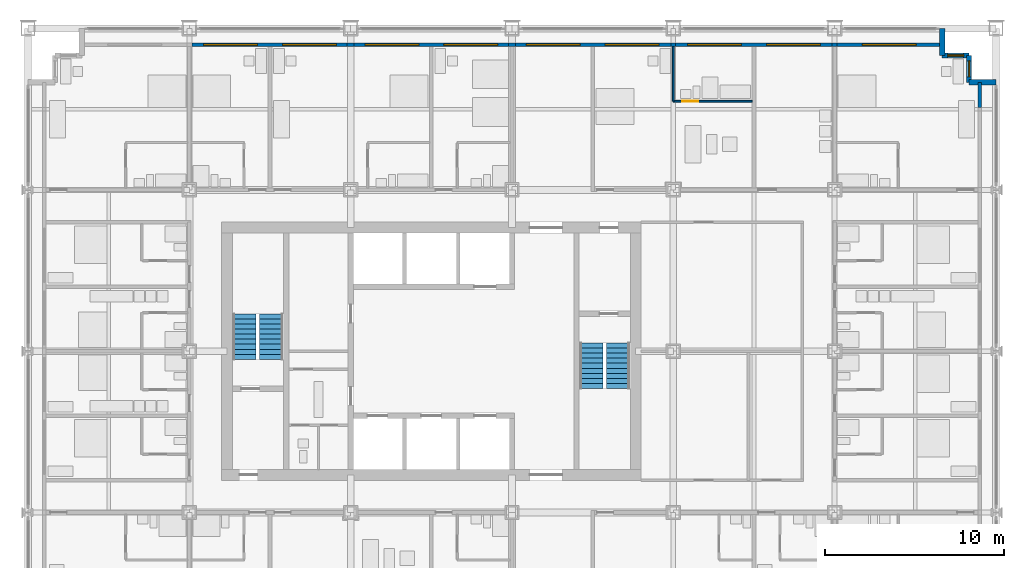
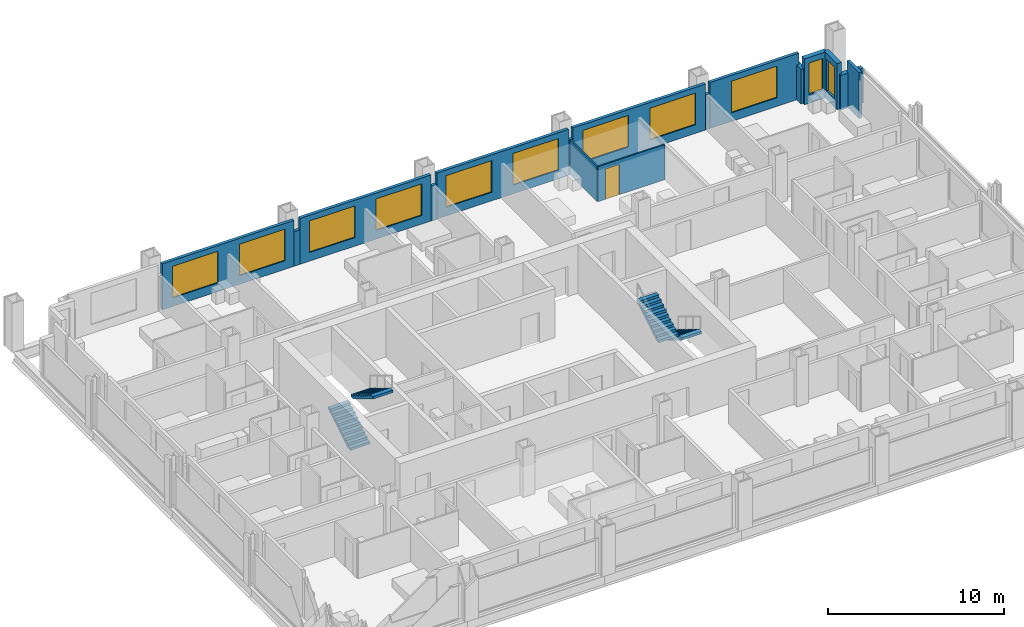
# One storey, part 15 of 18: 16 walls, 11 windows, 4 stair flights, 1 door, 12 openings, 2 elements without a shape of their own.
"""IFC4 building model written with IfcOpenShell, lengths in metres."""

from ifc_helpers import new_model, si_unit, direction, frame, frame_2d, origin, place, context, subcontext, project, spatial, polyline, rectangle, outline, extrude, material, layer, layer_set, type_object, element, fill, aggregate, save


model = new_model("IFC4")

# Units and contexts
model_context = context("Model", 3, precision=1e-05, world=origin(), true_north=direction((0.0, 1.0)))
body_context = subcontext(model_context, "Body", "Model", "MODEL_VIEW")
ifc_project = project(units=[si_unit("LENGTHUNIT", "METRE"), si_unit("AREAUNIT", "SQUARE_METRE"), si_unit("VOLUMEUNIT", "CUBIC_METRE"), si_unit("PLANEANGLEUNIT", "RADIAN"), si_unit("MASSUNIT", "GRAM", prefix="KILO")], contexts=[model_context])

# Site, building, storey
site_placement = place(None, origin())
site = spatial("IfcSite", under=ifc_project, at=site_placement, CompositionType="ELEMENT")
building_placement = place(site_placement, origin())
building = spatial("IfcBuilding", under=site, at=building_placement, Name="Loomwork Tower", CompositionType="ELEMENT")
storey_placement = place(building_placement, frame((0.0, 0.0, 58.60009765625)))
storey = spatial("IfcBuildingStorey", under=building, at=storey_placement, Name="L14", CompositionType="ELEMENT", Elevation=58.60009765625)

# Wall, opening, door
ifc_material_1 = material(Name="Cement board on steel studs", Category="steel")
ifc_layer_1 = layer(ifc_material_1, 0.10009765625)
ifc_layer_set_1 = layer_set([ifc_layer_1], Name="En-suite partition 100")
wall_type_1 = type_object("IfcWallType", Name="En-suite partition 100", PredefinedType="PARTITIONING", material=ifc_layer_set_1)
wall_1_placement = place(storey_placement, frame((36.0, 31.949951171875, 0.0), z_axis=(0.0, 0.0, 1.0), x_axis=(1.0, 0.0, 0.0)))
wall_1 = element("IfcWall", 1, at=wall_1_placement, inside=storey, type_object=wall_type_1, Name="Spa bathroom wall L14 room 12", PredefinedType="PARTITIONING", context=body_context, shape_type="SweptSolid", body=[
    extrude(rectangle(XDim=4.39990234375, YDim=0.10009765625, at=frame_2d((2.199951171875, 0.0))), origin(), (0.0, 0.0, 1.0), 2.43798828125),
])
opening_1_placement = place(wall_1_placement, frame((0.5, 0.0, 0.0)))
opening_1 = element("IfcOpeningElement", 2, at=opening_1_placement, cuts=wall_1, Name="Opening D2", PredefinedType="OPENING", context=body_context, shape_type="SweptSolid", body=[
    extrude(rectangle(XDim=0.89990234375, YDim=2.10009765625, at=frame_2d((0.449951171875, 1.050048828125))), frame((0.0, 0.06005859375, 0.0), z_axis=(0.0, -1.0, 0.0), x_axis=(1.0, 0.0, 0.0)), (0.0, 0.0, 1.0), 0.1201171875),
])
ifc_material_2 = material(Name="Hollow metal door and frame")
door_type = type_object("IfcDoorType", Name="En-suite door 900", OperationType="SINGLE_SWING_LEFT", PredefinedType="DOOR", material=ifc_material_2)
door_placement = place(opening_1_placement, origin())
door = element("IfcDoor", 3, at=door_placement, inside=storey, type_object=door_type, Name="Spa bathroom door room 12", OperationType="SINGLE_SWING_LEFT", OverallHeight=2.10009765625, OverallWidth=0.89990234375, PredefinedType="DOOR", context=body_context, shape_type="SweptSolid", body=[
    extrude(rectangle(XDim=0.89990234375, YDim=2.10009765625, at=frame_2d((0.449951171875, 1.050048828125))), frame((0.0, 0.02490234375, 0.0), z_axis=(0.0, -1.0, 0.0), x_axis=(1.0, 0.0, 0.0)), (0.0, 0.0, 1.0), 0.050048828125),
])
fill(opening_1, door)

# Wall
wall_2_placement = place(storey_placement, frame((36.0, 31.949951171875, 0.0), z_axis=(0.0, 0.0, 1.0), x_axis=(0.0, 1.0, 0.0)))
element("IfcWall", 4, at=wall_2_placement, inside=storey, type_object=wall_type_1, Name="Spa bathroom side wall L14 room 12", PredefinedType="PARTITIONING", context=body_context, shape_type="SweptSolid", body=[
    extrude(rectangle(XDim=3.050048828125, YDim=0.10009765625, at=frame_2d((1.52490234375, 0.0))), origin(), (0.0, 0.0, 1.0), 2.43798828125),
])

# Wall, openings, windows
ifc_material_3 = material(Name="Insulated steel stud wall with gypsum lining", Category="steel")
ifc_layer_2 = layer(ifc_material_3, 0.199951171875)
ifc_layer_set_2 = layer_set([ifc_layer_2], Name="Inner skin wall 200")
wall_type_2 = type_object("IfcWallType", Name="Inner skin wall 200", PredefinedType="SOLIDWALL", material=ifc_layer_set_2)
wall_3_placement = place(storey_placement, frame((9.13525390625, 35.10009765625, 0.0), z_axis=(0.0, 0.0, 1.0), x_axis=(1.0, 0.0, 0.0)))
wall_3 = element("IfcWall", 5, at=wall_3_placement, inside=storey, type_object=wall_type_2, Name="Inner skin wall N bay 3", PredefinedType="SOLIDWALL", context=body_context, shape_type="SweptSolid", body=[
    extrude(rectangle(XDim=8.6708984375, YDim=0.199951171875, at=frame_2d((4.33544921875, 0.0))), origin(), (0.0, 0.0, 1.0), 3.199951171875),
])
opening_2_placement = place(wall_3_placement, frame((0.664794921875, 0.0, 0.60009765625)))
opening_2 = element("IfcOpeningElement", 6, at=opening_2_placement, cuts=wall_3, Name="Opening CH1", PredefinedType="OPENING", context=body_context, shape_type="SweptSolid", body=[
    extrude(rectangle(XDim=3.0, YDim=2.199951171875, at=frame_2d((1.5, 1.10009765625))), frame((0.0, 0.10986328125, 0.0), z_axis=(0.0, -1.0, 0.0), x_axis=(1.0, 0.0, 0.0)), (0.0, 0.0, 1.0), 0.219970703125),
])
opening_3_placement = place(wall_3_placement, frame((5.064697265625, 0.0, 0.60009765625)))
opening_3 = element("IfcOpeningElement", 7, at=opening_3_placement, cuts=wall_3, Name="Opening CH1", PredefinedType="OPENING", context=body_context, shape_type="SweptSolid", body=[
    extrude(rectangle(XDim=3.0, YDim=2.199951171875, at=frame_2d((1.5, 1.10009765625))), frame((0.0, 0.10986328125, 0.0), z_axis=(0.0, -1.0, 0.0), x_axis=(1.0, 0.0, 0.0)), (0.0, 0.0, 1.0), 0.219970703125),
])
ifc_material_4 = material(Name="Aluminium frame with clear insulated glass", Category="aluminium")
window_type_1 = type_object("IfcWindowType", Name="Chicago window 3000", PartitioningType="TRIPLE_PANEL_VERTICAL", PredefinedType="WINDOW", material=ifc_material_4)
window_1_placement = place(opening_2_placement, origin())
window_1 = element("IfcWindow", 8, at=window_1_placement, inside=storey, type_object=window_type_1, Name="Chicago window L14 bay 8", OverallHeight=2.199951171875, OverallWidth=3.0, PartitioningType="TRIPLE_PANEL_VERTICAL", PredefinedType="WINDOW", context=body_context, shape_type="SweptSolid", body=[
    extrude(rectangle(XDim=3.0, YDim=2.199951171875, at=frame_2d((1.5, 1.10009765625))), frame((0.0, 0.030029296875, 0.0), z_axis=(0.0, -1.0, 0.0), x_axis=(1.0, 0.0, 0.0)), (0.0, 0.0, 1.0), 0.06005859375),
])
fill(opening_2, window_1)
window_2_placement = place(opening_3_placement, origin())
window_2 = element("IfcWindow", 9, at=window_2_placement, inside=storey, type_object=window_type_1, Name="Chicago window L14 bay 8", OverallHeight=2.199951171875, OverallWidth=3.0, PartitioningType="TRIPLE_PANEL_VERTICAL", PredefinedType="WINDOW", context=body_context, shape_type="SweptSolid", body=[
    extrude(rectangle(XDim=3.0, YDim=2.199951171875, at=frame_2d((1.5, 1.10009765625))), frame((0.0, 0.030029296875, 0.0), z_axis=(0.0, -1.0, 0.0), x_axis=(1.0, 0.0, 0.0)), (0.0, 0.0, 1.0), 0.06005859375),
])
fill(opening_3, window_2)

# Wall
wall_4_placement = place(storey_placement, frame((17.80615234375, 35.10009765625, 0.0), z_axis=(0.0, 0.0, 1.0), x_axis=(1.0, 0.0, 0.0)))
element("IfcWall", 10, at=wall_4_placement, inside=storey, type_object=wall_type_2, Name="Inner skin wall N bay 4", PredefinedType="SOLIDWALL", context=body_context, shape_type="SweptSolid", body=[
    extrude(rectangle(XDim=0.3876953125, YDim=0.199951171875, at=frame_2d((0.19384765625, 0.0))), origin(), (0.0, 0.0, 1.0), 2.40380859375),
])

# Wall, openings, windows
wall_5_placement = place(storey_placement, frame((18.19384765625, 35.10009765625, 0.0), z_axis=(0.0, 0.0, 1.0), x_axis=(1.0, 0.0, 0.0)))
wall_5 = element("IfcWall", 11, at=wall_5_placement, inside=storey, type_object=wall_type_2, Name="Inner skin wall N bay 5", PredefinedType="SOLIDWALL", context=body_context, shape_type="SweptSolid", body=[
    extrude(rectangle(XDim=8.6123046875, YDim=0.199951171875, at=frame_2d((4.30615234375, 0.0))), origin(), (0.0, 0.0, 1.0), 3.199951171875),
])
opening_4_placement = place(wall_5_placement, frame((0.606201171875, 0.0, 0.60009765625)))
opening_4 = element("IfcOpeningElement", 12, at=opening_4_placement, cuts=wall_5, Name="Opening CH1", PredefinedType="OPENING", context=body_context, shape_type="SweptSolid", body=[
    extrude(rectangle(XDim=3.0, YDim=2.199951171875, at=frame_2d((1.5, 1.10009765625))), frame((0.0, 0.10986328125, 0.0), z_axis=(0.0, -1.0, 0.0), x_axis=(1.0, 0.0, 0.0)), (0.0, 0.0, 1.0), 0.219970703125),
])
opening_5_placement = place(wall_5_placement, frame((5.006103515625, 0.0, 0.60009765625)))
opening_5 = element("IfcOpeningElement", 13, at=opening_5_placement, cuts=wall_5, Name="Opening CH1", PredefinedType="OPENING", context=body_context, shape_type="SweptSolid", body=[
    extrude(rectangle(XDim=3.0, YDim=2.199951171875, at=frame_2d((1.5, 1.10009765625))), frame((0.0, 0.10986328125, 0.0), z_axis=(0.0, -1.0, 0.0), x_axis=(1.0, 0.0, 0.0)), (0.0, 0.0, 1.0), 0.219970703125),
])
window_3_placement = place(opening_4_placement, origin())
window_3 = element("IfcWindow", 14, at=window_3_placement, inside=storey, type_object=window_type_1, Name="Chicago window L14 bay 9", OverallHeight=2.199951171875, OverallWidth=3.0, PartitioningType="TRIPLE_PANEL_VERTICAL", PredefinedType="WINDOW", context=body_context, shape_type="SweptSolid", body=[
    extrude(rectangle(XDim=3.0, YDim=2.199951171875, at=frame_2d((1.5, 1.10009765625))), frame((0.0, 0.030029296875, 0.0), z_axis=(0.0, -1.0, 0.0), x_axis=(1.0, 0.0, 0.0)), (0.0, 0.0, 1.0), 0.06005859375),
])
fill(opening_4, window_3)
window_4_placement = place(opening_5_placement, origin())
window_4 = element("IfcWindow", 15, at=window_4_placement, inside=storey, type_object=window_type_1, Name="Chicago window L14 bay 9", OverallHeight=2.199951171875, OverallWidth=3.0, PartitioningType="TRIPLE_PANEL_VERTICAL", PredefinedType="WINDOW", context=body_context, shape_type="SweptSolid", body=[
    extrude(rectangle(XDim=3.0, YDim=2.199951171875, at=frame_2d((1.5, 1.10009765625))), frame((0.0, 0.030029296875, 0.0), z_axis=(0.0, -1.0, 0.0), x_axis=(1.0, 0.0, 0.0)), (0.0, 0.0, 1.0), 0.06005859375),
])
fill(opening_5, window_4)

# Wall
wall_6_placement = place(storey_placement, frame((26.80615234375, 35.10009765625, 0.0), z_axis=(0.0, 0.0, 1.0), x_axis=(1.0, 0.0, 0.0)))
element("IfcWall", 16, at=wall_6_placement, inside=storey, type_object=wall_type_2, Name="Inner skin wall N bay 6", PredefinedType="SOLIDWALL", context=body_context, shape_type="SweptSolid", body=[
    extrude(rectangle(XDim=0.3876953125, YDim=0.199951171875, at=frame_2d((0.19384765625, 0.0))), origin(), (0.0, 0.0, 1.0), 2.40380859375),
])

# Wall, openings, windows
wall_7_placement = place(storey_placement, frame((27.19384765625, 35.10009765625, 0.0), z_axis=(0.0, 0.0, 1.0), x_axis=(1.0, 0.0, 0.0)))
wall_7 = element("IfcWall", 17, at=wall_7_placement, inside=storey, type_object=wall_type_2, Name="Inner skin wall N bay 7", PredefinedType="SOLIDWALL", context=body_context, shape_type="SweptSolid", body=[
    extrude(rectangle(XDim=8.670654296875, YDim=0.199951171875, at=frame_2d((4.33544921875, 0.0))), origin(), (0.0, 0.0, 1.0), 3.199951171875),
])
opening_6_placement = place(wall_7_placement, frame((0.606201171875, 0.0, 0.60009765625)))
opening_6 = element("IfcOpeningElement", 18, at=opening_6_placement, cuts=wall_7, Name="Opening CH1", PredefinedType="OPENING", context=body_context, shape_type="SweptSolid", body=[
    extrude(rectangle(XDim=3.0, YDim=2.199951171875, at=frame_2d((1.5, 1.10009765625))), frame((0.0, 0.10986328125, 0.0), z_axis=(0.0, -1.0, 0.0), x_axis=(1.0, 0.0, 0.0)), (0.0, 0.0, 1.0), 0.219970703125),
])
opening_7_placement = place(wall_7_placement, frame((5.006103515625, 0.0, 0.60009765625)))
opening_7 = element("IfcOpeningElement", 19, at=opening_7_placement, cuts=wall_7, Name="Opening CH1", PredefinedType="OPENING", context=body_context, shape_type="SweptSolid", body=[
    extrude(rectangle(XDim=3.0, YDim=2.199951171875, at=frame_2d((1.5, 1.10009765625))), frame((0.0, 0.10986328125, 0.0), z_axis=(0.0, -1.0, 0.0), x_axis=(1.0, 0.0, 0.0)), (0.0, 0.0, 1.0), 0.219970703125),
])
window_5_placement = place(opening_6_placement, origin())
window_5 = element("IfcWindow", 20, at=window_5_placement, inside=storey, type_object=window_type_1, Name="Chicago window L14 bay 10", OverallHeight=2.199951171875, OverallWidth=3.0, PartitioningType="TRIPLE_PANEL_VERTICAL", PredefinedType="WINDOW", context=body_context, shape_type="SweptSolid", body=[
    extrude(rectangle(XDim=3.0, YDim=2.199951171875, at=frame_2d((1.5, 1.10009765625))), frame((0.0, 0.030029296875, 0.0), z_axis=(0.0, -1.0, 0.0), x_axis=(1.0, 0.0, 0.0)), (0.0, 0.0, 1.0), 0.06005859375),
])
fill(opening_6, window_5)
window_6_placement = place(opening_7_placement, origin())
window_6 = element("IfcWindow", 21, at=window_6_placement, inside=storey, type_object=window_type_1, Name="Chicago window L14 bay 10", OverallHeight=2.199951171875, OverallWidth=3.0, PartitioningType="TRIPLE_PANEL_VERTICAL", PredefinedType="WINDOW", context=body_context, shape_type="SweptSolid", body=[
    extrude(rectangle(XDim=3.0, YDim=2.199951171875, at=frame_2d((1.5, 1.10009765625))), frame((0.0, 0.030029296875, 0.0), z_axis=(0.0, -1.0, 0.0), x_axis=(1.0, 0.0, 0.0)), (0.0, 0.0, 1.0), 0.06005859375),
])
fill(opening_7, window_6)

# Wall
wall_8_placement = place(storey_placement, frame((35.864501953125, 35.10009765625, 0.0), z_axis=(0.0, 0.0, 1.0), x_axis=(1.0, 0.0, 0.0)))
element("IfcWall", 22, at=wall_8_placement, inside=storey, type_object=wall_type_2, Name="Inner skin wall N bay 8", PredefinedType="SOLIDWALL", context=body_context, shape_type="SweptSolid", body=[
    extrude(rectangle(XDim=0.27099609375, YDim=0.199951171875, at=frame_2d((0.135498046875, 0.0))), origin(), (0.0, 0.0, 1.0), 2.43798828125),
])

# Wall, openings, windows
wall_9_placement = place(storey_placement, frame((36.135498046875, 35.10009765625, 0.0), z_axis=(0.0, 0.0, 1.0), x_axis=(1.0, 0.0, 0.0)))
wall_9 = element("IfcWall", 23, at=wall_9_placement, inside=storey, type_object=wall_type_2, Name="Inner skin wall N bay 9", PredefinedType="SOLIDWALL", context=body_context, shape_type="SweptSolid", body=[
    extrude(rectangle(XDim=8.72900390625, YDim=0.199951171875, at=frame_2d((4.364501953125, 0.0))), origin(), (0.0, 0.0, 1.0), 3.199951171875),
])
opening_8_placement = place(wall_9_placement, frame((0.66455078125, 0.0, 0.60009765625)))
opening_8 = element("IfcOpeningElement", 24, at=opening_8_placement, cuts=wall_9, Name="Opening CH1", PredefinedType="OPENING", context=body_context, shape_type="SweptSolid", body=[
    extrude(rectangle(XDim=3.0, YDim=2.199951171875, at=frame_2d((1.5, 1.10009765625))), frame((0.0, 0.10986328125, 0.0), z_axis=(0.0, -1.0, 0.0), x_axis=(1.0, 0.0, 0.0)), (0.0, 0.0, 1.0), 0.219970703125),
])
opening_9_placement = place(wall_9_placement, frame((5.064697265625, 0.0, 0.60009765625)))
opening_9 = element("IfcOpeningElement", 25, at=opening_9_placement, cuts=wall_9, Name="Opening CH1", PredefinedType="OPENING", context=body_context, shape_type="SweptSolid", body=[
    extrude(rectangle(XDim=3.0, YDim=2.199951171875, at=frame_2d((1.5, 1.10009765625))), frame((0.0, 0.10986328125, 0.0), z_axis=(0.0, -1.0, 0.0), x_axis=(1.0, 0.0, 0.0)), (0.0, 0.0, 1.0), 0.219970703125),
])
window_7_placement = place(opening_8_placement, origin())
window_7 = element("IfcWindow", 26, at=window_7_placement, inside=storey, type_object=window_type_1, Name="Chicago window L14 bay 11", OverallHeight=2.199951171875, OverallWidth=3.0, PartitioningType="TRIPLE_PANEL_VERTICAL", PredefinedType="WINDOW", context=body_context, shape_type="SweptSolid", body=[
    extrude(rectangle(XDim=3.0, YDim=2.199951171875, at=frame_2d((1.5, 1.10009765625))), frame((0.0, 0.030029296875, 0.0), z_axis=(0.0, -1.0, 0.0), x_axis=(1.0, 0.0, 0.0)), (0.0, 0.0, 1.0), 0.06005859375),
])
fill(opening_8, window_7)
window_8_placement = place(opening_9_placement, origin())
window_8 = element("IfcWindow", 27, at=window_8_placement, inside=storey, type_object=window_type_1, Name="Chicago window L14 bay 11", OverallHeight=2.199951171875, OverallWidth=3.0, PartitioningType="TRIPLE_PANEL_VERTICAL", PredefinedType="WINDOW", context=body_context, shape_type="SweptSolid", body=[
    extrude(rectangle(XDim=3.0, YDim=2.199951171875, at=frame_2d((1.5, 1.10009765625))), frame((0.0, 0.030029296875, 0.0), z_axis=(0.0, -1.0, 0.0), x_axis=(1.0, 0.0, 0.0)), (0.0, 0.0, 1.0), 0.06005859375),
])
fill(opening_9, window_8)

# Wall
wall_10_placement = place(storey_placement, frame((44.864501953125, 35.10009765625, 0.0), z_axis=(0.0, 0.0, 1.0), x_axis=(1.0, 0.0, 0.0)))
element("IfcWall", 28, at=wall_10_placement, inside=storey, type_object=wall_type_2, Name="Inner skin wall N bay 10", PredefinedType="SOLIDWALL", context=body_context, shape_type="SweptSolid", body=[
    extrude(rectangle(XDim=0.27099609375, YDim=0.199951171875, at=frame_2d((0.135498046875, 0.0))), origin(), (0.0, 0.0, 1.0), 2.43798828125),
])

# Wall, opening, window
wall_11_placement = place(storey_placement, frame((45.135498046875, 35.10009765625, 0.0), z_axis=(0.0, 0.0, 1.0), x_axis=(1.0, 0.0, 0.0)))
wall_11 = element("IfcWall", 29, at=wall_11_placement, inside=storey, type_object=wall_type_2, Name="Inner skin wall N bay 11", PredefinedType="SOLIDWALL", context=body_context, shape_type="SweptSolid", body=[
    extrude(rectangle(XDim=5.864501953125, YDim=0.199951171875, at=frame_2d((2.93212890625, 0.0))), origin(), (0.0, 0.0, 1.0), 3.199951171875),
])
opening_10_placement = place(wall_11_placement, frame((1.41455078125, 0.0, 0.60009765625)))
opening_10 = element("IfcOpeningElement", 30, at=opening_10_placement, cuts=wall_11, Name="Opening CH1", PredefinedType="OPENING", context=body_context, shape_type="SweptSolid", body=[
    extrude(rectangle(XDim=3.0, YDim=2.199951171875, at=frame_2d((1.5, 1.10009765625))), frame((0.0, 0.10986328125, 0.0), z_axis=(0.0, -1.0, 0.0), x_axis=(1.0, 0.0, 0.0)), (0.0, 0.0, 1.0), 0.219970703125),
])
window_9_placement = place(opening_10_placement, origin())
window_9 = element("IfcWindow", 31, at=window_9_placement, inside=storey, type_object=window_type_1, Name="Chicago window L14 bay 12", OverallHeight=2.199951171875, OverallWidth=3.0, PartitioningType="TRIPLE_PANEL_VERTICAL", PredefinedType="WINDOW", context=body_context, shape_type="SweptSolid", body=[
    extrude(rectangle(XDim=3.0, YDim=2.199951171875, at=frame_2d((1.5, 1.10009765625))), frame((0.0, 0.030029296875, 0.0), z_axis=(0.0, -1.0, 0.0), x_axis=(1.0, 0.0, 0.0)), (0.0, 0.0, 1.0), 0.06005859375),
])
fill(opening_10, window_9)

# Walls
wall_12_placement = place(storey_placement, frame((53.10009765625, 31.607421875, 0.0), z_axis=(0.0, 0.0, 1.0), x_axis=(0.0, 1.0, 0.0)))
element("IfcWall", 32, at=wall_12_placement, inside=storey, type_object=wall_type_2, Name="Inner skin wall E bay 11", PredefinedType="SOLIDWALL", context=body_context, shape_type="SweptSolid", body=[
    extrude(rectangle(XDim=1.392578125, YDim=0.199951171875, at=frame_2d((0.6962890625, 0.0))), origin(), (0.0, 0.0, 1.0), 3.199951171875),
])
ifc_material_5 = material(Name="Limestone on concrete masonry", Category="masonry")
ifc_layer_3 = layer(ifc_material_5, 0.300048828125)
ifc_layer_set_3 = layer_set([ifc_layer_3], Name="Limestone corner wall 300")
wall_type_3 = type_object("IfcWallType", Name="Limestone corner wall 300", PredefinedType="SOLIDWALL", material=ifc_layer_set_3)
wall_13_placement = place(storey_placement, frame((54.0, 33.0, 0.0), z_axis=(0.0, 0.0, 1.0), x_axis=(-1.0, 0.0, 0.0)))
element("IfcWall", 33, at=wall_13_placement, inside=storey, type_object=wall_type_3, Name="Stone corner wall NE 1", PredefinedType="SOLIDWALL", context=body_context, shape_type="SweptSolid", body=[
    extrude(rectangle(XDim=1.5, YDim=0.300048828125, at=frame_2d((0.75, 0.0))), origin(), (0.0, 0.0, 1.0), 2.419921875),
])

# Wall, opening, window
wall_14_placement = place(storey_placement, frame((52.5, 33.0, 0.0), z_axis=(0.0, 0.0, 1.0), x_axis=(0.0, 1.0, 0.0)))
wall_14 = element("IfcWall", 34, at=wall_14_placement, inside=storey, type_object=wall_type_3, Name="Stone corner wall NE 2", PredefinedType="SOLIDWALL", context=body_context, shape_type="SweptSolid", body=[
    extrude(rectangle(XDim=1.5, YDim=0.300048828125, at=frame_2d((0.75, 0.0))), origin(), (0.0, 0.0, 1.0), 3.199951171875),
])
opening_11_placement = place(wall_14_placement, frame((0.300048828125, 0.0, 0.60009765625)))
opening_11 = element("IfcOpeningElement", 35, at=opening_11_placement, cuts=wall_14, Name="Opening CH2", PredefinedType="OPENING", context=body_context, shape_type="SweptSolid", body=[
    extrude(rectangle(XDim=0.89990234375, YDim=2.199951171875, at=frame_2d((0.449951171875, 1.10009765625))), frame((0.0, 0.159912109375, 0.0), z_axis=(0.0, -1.0, 0.0), x_axis=(1.0, 0.0, 0.0)), (0.0, 0.0, 1.0), 0.320068359375),
])
ifc_material_6 = material(Name="Aluminium frame with clear insulated glass", Category="aluminium")
window_type_2 = type_object("IfcWindowType", Name="Corner window 900", PartitioningType="SINGLE_PANEL", PredefinedType="WINDOW", material=ifc_material_6)
window_10_placement = place(opening_11_placement, origin())
window_10 = element("IfcWindow", 36, at=window_10_placement, inside=storey, type_object=window_type_2, Name="Corner window NE", OverallHeight=2.199951171875, OverallWidth=0.89990234375, PartitioningType="SINGLE_PANEL", PredefinedType="WINDOW", context=body_context, shape_type="SweptSolid", body=[
    extrude(rectangle(XDim=0.89990234375, YDim=2.199951171875, at=frame_2d((0.449951171875, 1.10009765625))), frame((0.0, 0.030029296875, 0.0), z_axis=(0.0, -1.0, 0.0), x_axis=(1.0, 0.0, 0.0)), (0.0, 0.0, 1.0), 0.06005859375),
])
fill(opening_11, window_10)

wall_15_placement = place(storey_placement, frame((52.5, 34.5, 0.0), z_axis=(0.0, 0.0, 1.0), x_axis=(-1.0, 0.0, 0.0)))
wall_15 = element("IfcWall", 37, at=wall_15_placement, inside=storey, type_object=wall_type_3, Name="Stone corner wall NE 3", PredefinedType="SOLIDWALL", context=body_context, shape_type="SweptSolid", body=[
    extrude(rectangle(XDim=1.5, YDim=0.300048828125, at=frame_2d((0.75, 0.0))), origin(), (0.0, 0.0, 1.0), 3.199951171875),
])
opening_12_placement = place(wall_15_placement, frame((0.300048828125, 0.0, 0.60009765625)))
opening_12 = element("IfcOpeningElement", 38, at=opening_12_placement, cuts=wall_15, Name="Opening CH2", PredefinedType="OPENING", context=body_context, shape_type="SweptSolid", body=[
    extrude(rectangle(XDim=0.89990234375, YDim=2.199951171875, at=frame_2d((0.449951171875, 1.10009765625))), frame((0.0, 0.159912109375, 0.0), z_axis=(0.0, -1.0, 0.0), x_axis=(1.0, 0.0, 0.0)), (0.0, 0.0, 1.0), 0.320068359375),
])
window_11_placement = place(opening_12_placement, origin())
window_11 = element("IfcWindow", 39, at=window_11_placement, inside=storey, type_object=window_type_2, Name="Corner window NE", OverallHeight=2.199951171875, OverallWidth=0.89990234375, PartitioningType="SINGLE_PANEL", PredefinedType="WINDOW", context=body_context, shape_type="SweptSolid", body=[
    extrude(rectangle(XDim=0.89990234375, YDim=2.199951171875, at=frame_2d((0.449951171875, 1.10009765625))), frame((0.0, 0.030029296875, 0.0), z_axis=(0.0, -1.0, 0.0), x_axis=(1.0, 0.0, 0.0)), (0.0, 0.0, 1.0), 0.06005859375),
])
fill(opening_12, window_11)

# Wall
wall_16_placement = place(storey_placement, frame((51.0, 34.5, 0.0), z_axis=(0.0, 0.0, 1.0), x_axis=(0.0, 1.0, 0.0)))
element("IfcWall", 40, at=wall_16_placement, inside=storey, type_object=wall_type_3, Name="Stone corner wall NE 4", PredefinedType="SOLIDWALL", context=body_context, shape_type="SweptSolid", body=[
    extrude(rectangle(XDim=1.5, YDim=0.300048828125, at=frame_2d((0.75, 0.0))), origin(), (0.0, 0.0, 1.0), 2.419921875),
])

# Stair, stair flights
ifc_material_7 = material(Name="Concrete 5000 psi (34 MPa) precast stair", Category="concrete")
stair_type_1 = type_object("IfcStairType", Name="Stair ST-A 20 risers 2850 wide", PredefinedType="HALF_TURN_STAIR", material=ifc_material_7)
stair_1_placement = place(storey_placement, origin())
stair_1 = element("IfcStair", 41, at=stair_1_placement, inside=storey, type_object=stair_type_1, Name="Stair A L14", PredefinedType="HALF_TURN_STAIR")
ifc_material_8 = material(Name="Concrete 5000 psi (34 MPa) precast stair", Category="concrete")
stair_flight_type_1 = type_object("IfcStairFlightType", Name="Stair flight ST-A 10 risers 1300 wide", PredefinedType="STRAIGHT", material=ifc_material_8)
stair_flight_1_placement = place(storey_placement, frame((12.074951171875, 17.550048828125, 0.0), z_axis=(0.0, 0.0, 1.0), x_axis=(0.0, 1.0, 0.0)))
stair_flight_1 = element("IfcStairFlight", 42, at=stair_flight_1_placement, type_object=stair_flight_type_1, Name="ST-A flight 1", NumberOfRisers=10, NumberOfTreads=9, PredefinedType="STRAIGHT", RiserHeight=0.17, TreadLength=0.28, context=body_context, shape_type="SweptSolid", body=[
    extrude(outline(polyline([(0.0, 0.0), (0.0, 0.169921875), (0.280029296875, 0.169921875), (0.280029296875, 0.340087890625), (0.56005859375, 0.340087890625), (0.56005859375, 0.510009765625), (0.840087890625, 0.510009765625), (0.840087890625, 0.679931640625), (1.1201171875, 0.679931640625), (1.1201171875, 0.85009765625), (1.39990234375, 0.85009765625), (1.39990234375, 1.02001953125), (1.679931640625, 1.02001953125), (1.679931640625, 1.18994140625), (1.9599609375, 1.18994140625), (1.9599609375, 1.360107421875), (2.239990234375, 1.360107421875), (2.239990234375, 1.530029296875), (2.52001953125, 1.530029296875), (2.52001953125, 1.699951171875), (2.52001953125, 1.354736328125), (0.288818359375, 0.0), (0.0, 0.0)])), frame((0.0, 0.64990234375, 0.0), z_axis=(0.0, -1.0, 0.0), x_axis=(1.0, 0.0, 0.0)), (0.0, 0.0, 1.0), 1.300048828125),
])
stair_flight_2_placement = place(storey_placement, frame((13.574951171875, 20.070068359375, 1.699951171875), z_axis=(0.0, 0.0, 1.0), x_axis=(0.0, -1.0, 0.0)))
stair_flight_2 = element("IfcStairFlight", 43, at=stair_flight_2_placement, type_object=stair_flight_type_1, Name="ST-A flight 2", NumberOfRisers=10, NumberOfTreads=9, PredefinedType="STRAIGHT", RiserHeight=0.17, TreadLength=0.28, context=body_context, shape_type="SweptSolid", body=[
    extrude(outline(polyline([(0.0, 0.0), (0.0, 0.169921875), (0.280029296875, 0.169921875), (0.280029296875, 0.340087890625), (0.56005859375, 0.340087890625), (0.56005859375, 0.510009765625), (0.840087890625, 0.510009765625), (0.840087890625, 0.679931640625), (1.1201171875, 0.679931640625), (1.1201171875, 0.85009765625), (1.39990234375, 0.85009765625), (1.39990234375, 1.02001953125), (1.679931640625, 1.02001953125), (1.679931640625, 1.18994140625), (1.9599609375, 1.18994140625), (1.9599609375, 1.360107421875), (2.239990234375, 1.360107421875), (2.239990234375, 1.530029296875), (2.52001953125, 1.530029296875), (2.52001953125, 1.699951171875), (2.52001953125, 1.354736328125), (0.288818359375, 0.0), (0.0, 0.0)])), frame((0.0, 0.64990234375, 0.0), z_axis=(0.0, -1.0, 0.0), x_axis=(1.0, 0.0, 0.0)), (0.0, 0.0, 1.0), 1.300048828125),
])
aggregate(stair_1, [stair_flight_1, stair_flight_2])

ifc_material_9 = material(Name="Concrete 5000 psi (34 MPa) precast stair", Category="concrete")
stair_type_2 = type_object("IfcStairType", Name="Stair ST-B 20 risers 2850 wide", PredefinedType="HALF_TURN_STAIR", material=ifc_material_9)
stair_2_placement = place(storey_placement, origin())
stair_2 = element("IfcStair", 44, at=stair_2_placement, inside=storey, type_object=stair_type_2, Name="Stair B L14", PredefinedType="HALF_TURN_STAIR")
ifc_material_10 = material(Name="Concrete 5000 psi (34 MPa) precast stair", Category="concrete")
stair_flight_type_2 = type_object("IfcStairFlightType", Name="Stair flight ST-B 10 risers 1300 wide", PredefinedType="STRAIGHT", material=ifc_material_10)
stair_flight_3_placement = place(storey_placement, frame((32.925048828125, 18.449951171875, 0.0), z_axis=(0.0, 0.0, 1.0), x_axis=(0.0, -1.0, 0.0)))
stair_flight_3 = element("IfcStairFlight", 45, at=stair_flight_3_placement, type_object=stair_flight_type_2, Name="ST-B flight 1", NumberOfRisers=10, NumberOfTreads=9, PredefinedType="STRAIGHT", RiserHeight=0.17, TreadLength=0.28, context=body_context, shape_type="SweptSolid", body=[
    extrude(outline(polyline([(0.0, 0.0), (0.0, 0.169921875), (0.280029296875, 0.169921875), (0.280029296875, 0.340087890625), (0.56005859375, 0.340087890625), (0.56005859375, 0.510009765625), (0.840087890625, 0.510009765625), (0.840087890625, 0.679931640625), (1.1201171875, 0.679931640625), (1.1201171875, 0.85009765625), (1.39990234375, 0.85009765625), (1.39990234375, 1.02001953125), (1.679931640625, 1.02001953125), (1.679931640625, 1.18994140625), (1.9599609375, 1.18994140625), (1.9599609375, 1.360107421875), (2.239990234375, 1.360107421875), (2.239990234375, 1.530029296875), (2.52001953125, 1.530029296875), (2.52001953125, 1.699951171875), (2.52001953125, 1.354736328125), (0.288818359375, 0.0), (0.0, 0.0)])), frame((0.0, 0.64990234375, 0.0), z_axis=(0.0, -1.0, 0.0), x_axis=(1.0, 0.0, 0.0)), (0.0, 0.0, 1.0), 1.300048828125),
])
stair_flight_4_placement = place(storey_placement, frame((31.425048828125, 15.929931640625, 1.699951171875), z_axis=(0.0, 0.0, 1.0), x_axis=(0.0, 1.0, 0.0)))
stair_flight_4 = element("IfcStairFlight", 46, at=stair_flight_4_placement, type_object=stair_flight_type_2, Name="ST-B flight 2", NumberOfRisers=10, NumberOfTreads=9, PredefinedType="STRAIGHT", RiserHeight=0.17, TreadLength=0.28, context=body_context, shape_type="SweptSolid", body=[
    extrude(outline(polyline([(0.0, 0.0), (0.0, 0.169921875), (0.280029296875, 0.169921875), (0.280029296875, 0.340087890625), (0.56005859375, 0.340087890625), (0.56005859375, 0.510009765625), (0.840087890625, 0.510009765625), (0.840087890625, 0.679931640625), (1.1201171875, 0.679931640625), (1.1201171875, 0.85009765625), (1.39990234375, 0.85009765625), (1.39990234375, 1.02001953125), (1.679931640625, 1.02001953125), (1.679931640625, 1.18994140625), (1.9599609375, 1.18994140625), (1.9599609375, 1.360107421875), (2.239990234375, 1.360107421875), (2.239990234375, 1.530029296875), (2.52001953125, 1.530029296875), (2.52001953125, 1.699951171875), (2.52001953125, 1.354736328125), (0.288818359375, 0.0), (0.0, 0.0)])), frame((0.0, 0.64990234375, 0.0), z_axis=(0.0, -1.0, 0.0), x_axis=(1.0, 0.0, 0.0)), (0.0, 0.0, 1.0), 1.300048828125),
])
aggregate(stair_2, [stair_flight_3, stair_flight_4])

save(model, "model.ifc")
